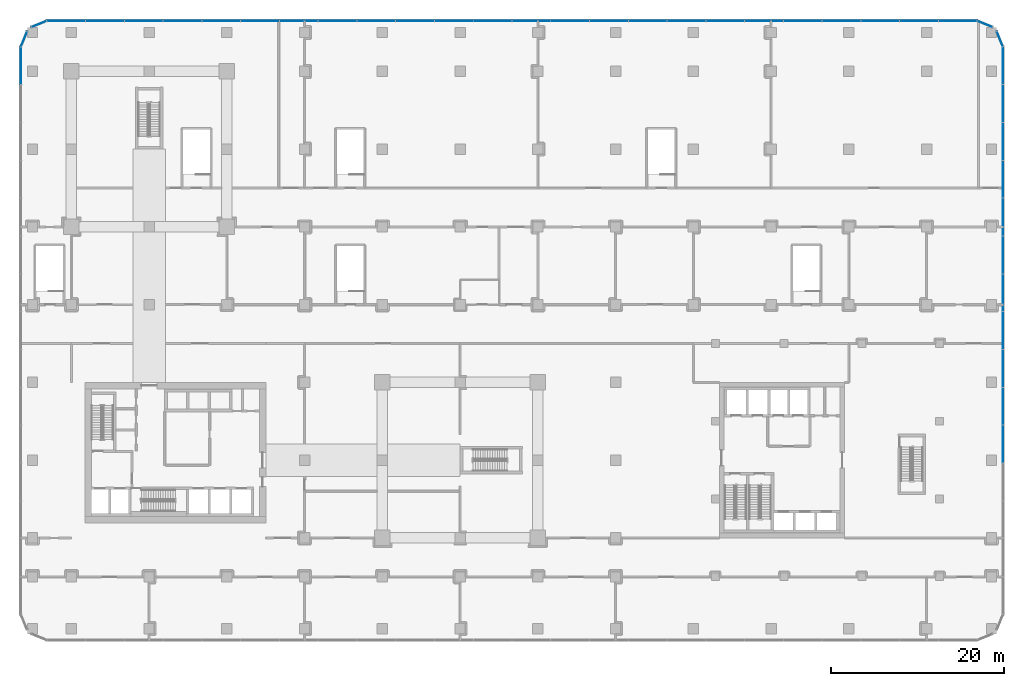
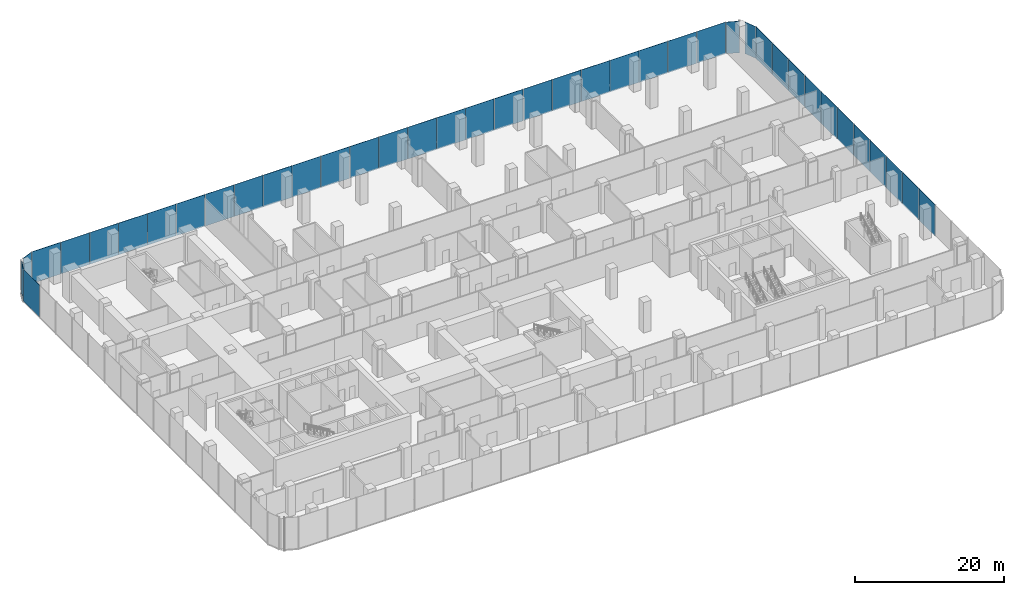
# One storey, part 22 of 36: 40 plates, 7 elements without a shape of their own.
"""IFC4 building model written with IfcOpenShell, lengths in metres."""

from ifc_helpers import new_model, si_unit, direction, frame, origin, origin_2d, place, context, subcontext, project, spatial, rectangle, extrude, material, layer, layer_set, type_object, element, aggregate, save


model = new_model("IFC4")

# Units and contexts
model_context = context("Model", 3, precision=1e-05, world=origin(), true_north=direction((0.0, 1.0)))
body_context = subcontext(model_context, "Body", "Model", "MODEL_VIEW")
ifc_project = project(units=[si_unit("LENGTHUNIT", "METRE"), si_unit("AREAUNIT", "SQUARE_METRE"), si_unit("VOLUMEUNIT", "CUBIC_METRE"), si_unit("PLANEANGLEUNIT", "RADIAN"), si_unit("MASSUNIT", "GRAM", prefix="KILO")], contexts=[model_context])

# Site, building, storey
site_placement = place(None, origin())
site = spatial("IfcSite", under=ifc_project, at=site_placement, CompositionType="ELEMENT")
building_placement = place(site_placement, origin())
building = spatial("IfcBuilding", under=site, at=building_placement, Name="Plateau Cross Towers", CompositionType="ELEMENT")
storey_placement = place(building_placement, frame((0.0, 0.0, 21.800048828125)))
storey = spatial("IfcBuildingStorey", under=building, at=storey_placement, Name="L04", CompositionType="ELEMENT", Elevation=21.800048828125)

# Curtain wall, plates
ifc_material = material(Name="Dark low-iron laminated glass", Category="glass")
ifc_layer_1 = layer(ifc_material, 0.300048828125)
ifc_layer_set_1 = layer_set([ifc_layer_1], Name="Dark low-iron laminated glass")
curtain_wall_type = type_object("IfcCurtainWallType", Name="Curtain wall structural silicone CW-C", PredefinedType="NOTDEFINED", material=ifc_layer_set_1)
curtain_wall_1_placement = place(storey_placement, origin())
curtain_wall_1 = element("IfcCurtainWall", 1, at=curtain_wall_1_placement, inside=storey, type_object=curtain_wall_type, Name="ENV/P/L04/P1078_-88", PredefinedType="NOTDEFINED")
ifc_layer_2 = layer(ifc_material, 0.0439453125)
ifc_layer_set_2 = layer_set([ifc_layer_2], Name="Dark low-iron laminated glass")
plate_type = type_object("IfcPlateType", Name="Glass panel 44 structural silicone", PredefinedType="CURTAIN_PANEL", material=ifc_layer_set_2)
plate_1_placement = place(storey_placement, frame((107.85009765625, 10.860107421875, -0.2001953125), z_axis=(0.0, 0.0, 1.0), x_axis=(0.0, 1.0, 0.0)))
plate_1 = element("IfcPlate", 2, at=plate_1_placement, type_object=plate_type, Name="CW-C panel 5", PredefinedType="CURTAIN_PANEL", context=body_context, shape_type="SweptSolid", body=[
    extrude(rectangle(XDim=4.330078125, YDim=0.0439453125, at=origin_2d()), origin(), (0.0, 0.0, 1.0), 5.199951171875),
])
plate_2_placement = place(storey_placement, frame((107.85009765625, 15.239990234375, -0.2001953125), z_axis=(0.0, 0.0, 1.0), x_axis=(0.0, 1.0, 0.0)))
plate_2 = element("IfcPlate", 3, at=plate_2_placement, type_object=plate_type, Name="CW-C panel 6", PredefinedType="CURTAIN_PANEL", context=body_context, shape_type="SweptSolid", body=[
    extrude(rectangle(XDim=4.330078125, YDim=0.0439453125, at=origin_2d()), origin(), (0.0, 0.0, 1.0), 5.199951171875),
])
plate_3_placement = place(storey_placement, frame((107.85009765625, 19.6201171875, -0.2001953125), z_axis=(0.0, 0.0, 1.0), x_axis=(0.0, 1.0, 0.0)))
plate_3 = element("IfcPlate", 4, at=plate_3_placement, type_object=plate_type, Name="CW-C panel 7", PredefinedType="CURTAIN_PANEL", context=body_context, shape_type="SweptSolid", body=[
    extrude(rectangle(XDim=4.330078125, YDim=0.0439453125, at=origin_2d()), origin(), (0.0, 0.0, 1.0), 5.199951171875),
])
plate_4_placement = place(storey_placement, frame((107.85009765625, 24.0, -0.2001953125), z_axis=(0.0, 0.0, 1.0), x_axis=(0.0, 1.0, 0.0)))
plate_4 = element("IfcPlate", 5, at=plate_4_placement, type_object=plate_type, Name="CW-C panel 8", PredefinedType="CURTAIN_PANEL", context=body_context, shape_type="SweptSolid", body=[
    extrude(rectangle(XDim=4.330078125, YDim=0.0439453125, at=origin_2d()), origin(), (0.0, 0.0, 1.0), 5.199951171875),
])
plate_5_placement = place(storey_placement, frame((107.85009765625, 28.3798828125, -0.2001953125), z_axis=(0.0, 0.0, 1.0), x_axis=(0.0, 1.0, 0.0)))
plate_5 = element("IfcPlate", 6, at=plate_5_placement, type_object=plate_type, Name="CW-C panel 9", PredefinedType="CURTAIN_PANEL", context=body_context, shape_type="SweptSolid", body=[
    extrude(rectangle(XDim=4.330078125, YDim=0.0439453125, at=origin_2d()), origin(), (0.0, 0.0, 1.0), 5.199951171875),
])
plate_6_placement = place(storey_placement, frame((107.85009765625, 32.760009765625, -0.2001953125), z_axis=(0.0, 0.0, 1.0), x_axis=(0.0, 1.0, 0.0)))
plate_6 = element("IfcPlate", 7, at=plate_6_placement, type_object=plate_type, Name="CW-C panel 10", PredefinedType="CURTAIN_PANEL", context=body_context, shape_type="SweptSolid", body=[
    extrude(rectangle(XDim=4.330078125, YDim=0.0439453125, at=origin_2d()), origin(), (0.0, 0.0, 1.0), 5.199951171875),
])
plate_7_placement = place(storey_placement, frame((107.85009765625, 37.139892578125, -0.2001953125), z_axis=(0.0, 0.0, 1.0), x_axis=(0.0, 1.0, 0.0)))
plate_7 = element("IfcPlate", 8, at=plate_7_placement, type_object=plate_type, Name="CW-C panel 11", PredefinedType="CURTAIN_PANEL", context=body_context, shape_type="SweptSolid", body=[
    extrude(rectangle(XDim=4.330078125, YDim=0.0439453125, at=origin_2d()), origin(), (0.0, 0.0, 1.0), 5.199951171875),
])
plate_8_placement = place(storey_placement, frame((107.85009765625, 41.52001953125, -0.2001953125), z_axis=(0.0, 0.0, 1.0), x_axis=(0.0, 1.0, 0.0)))
plate_8 = element("IfcPlate", 9, at=plate_8_placement, type_object=plate_type, Name="CW-C panel 12", PredefinedType="CURTAIN_PANEL", context=body_context, shape_type="SweptSolid", body=[
    extrude(rectangle(XDim=4.330078125, YDim=0.0439453125, at=origin_2d()), origin(), (0.0, 0.0, 1.0), 5.199951171875),
])
plate_9_placement = place(storey_placement, frame((107.85009765625, 45.89990234375, -0.2001953125), z_axis=(0.0, 0.0, 1.0), x_axis=(0.0, 1.0, 0.0)))
plate_9 = element("IfcPlate", 10, at=plate_9_placement, type_object=plate_type, Name="CW-C panel 13", PredefinedType="CURTAIN_PANEL", context=body_context, shape_type="SweptSolid", body=[
    extrude(rectangle(XDim=4.330078125, YDim=0.0439453125, at=origin_2d()), origin(), (0.0, 0.0, 1.0), 5.199951171875),
])
plate_10_placement = place(storey_placement, frame((107.85009765625, 50.280029296875, -0.2001953125), z_axis=(0.0, 0.0, 1.0), x_axis=(0.0, 1.0, 0.0)))
plate_10 = element("IfcPlate", 11, at=plate_10_placement, type_object=plate_type, Name="CW-C panel 14", PredefinedType="CURTAIN_PANEL", context=body_context, shape_type="SweptSolid", body=[
    extrude(rectangle(XDim=4.330078125, YDim=0.0439453125, at=origin_2d()), origin(), (0.0, 0.0, 1.0), 5.199951171875),
])
plate_11_placement = place(storey_placement, frame((107.85009765625, 54.659912109375, -0.2001953125), z_axis=(0.0, 0.0, 1.0), x_axis=(0.0, 1.0, 0.0)))
plate_11 = element("IfcPlate", 12, at=plate_11_placement, type_object=plate_type, Name="CW-C panel 15", PredefinedType="CURTAIN_PANEL", context=body_context, shape_type="SweptSolid", body=[
    extrude(rectangle(XDim=4.330078125, YDim=0.0439453125, at=origin_2d()), origin(), (0.0, 0.0, 1.0), 5.199951171875),
])
aggregate(curtain_wall_1, [plate_1, plate_2, plate_3, plate_4, plate_5, plate_6, plate_7, plate_8, plate_9, plate_10, plate_11])

# Curtain wall, plate
curtain_wall_2_placement = place(storey_placement, origin())
curtain_wall_2 = element("IfcCurtainWall", 13, at=curtain_wall_2_placement, inside=storey, type_object=curtain_wall_type, Name="ENV/P/L04/P1078_568", PredefinedType="NOTDEFINED")
plate_12_placement = place(storey_placement, frame((107.485107421875, 57.731201171875, -0.2001953125), z_axis=(0.0, 0.0, 1.0), x_axis=(-0.382683612978, 0.923879457699, 0.0)))
plate_12 = element("IfcPlate", 14, at=plate_12_placement, type_object=plate_type, Name="CW-C panel 1", PredefinedType="CURTAIN_PANEL", context=body_context, shape_type="SweptSolid", body=[
    extrude(rectangle(XDim=1.857666015625, YDim=0.0439453125, at=origin_2d()), origin(), (0.0, 0.0, 1.0), 5.199951171875),
])
aggregate(curtain_wall_2, [plate_12])

curtain_wall_3_placement = place(storey_placement, origin())
curtain_wall_3 = element("IfcCurtainWall", 15, at=curtain_wall_3_placement, inside=storey, type_object=curtain_wall_type, Name="ENV/P/L04/P1066_591", PredefinedType="NOTDEFINED")
plate_13_placement = place(storey_placement, frame((105.731201171875, 59.485107421875, -0.2001953125), z_axis=(0.0, 0.0, 1.0), x_axis=(-0.923879457699, 0.382683612978, 0.0)))
plate_13 = element("IfcPlate", 16, at=plate_13_placement, type_object=plate_type, Name="CW-C panel 1", PredefinedType="CURTAIN_PANEL", context=body_context, shape_type="SweptSolid", body=[
    extrude(rectangle(XDim=1.857666015625, YDim=0.0439453125, at=origin_2d()), origin(), (0.0, 0.0, 1.0), 5.199951171875),
])
aggregate(curtain_wall_3, [plate_13])

# Curtain wall, plates
curtain_wall_4_placement = place(storey_placement, origin())
curtain_wall_4 = element("IfcCurtainWall", 17, at=curtain_wall_4_placement, inside=storey, type_object=curtain_wall_type, Name="ENV/P/L04/P1048_598", PredefinedType="NOTDEFINED")
plate_14_placement = place(storey_placement, frame((102.606201171875, 59.85009765625, -0.2001953125), z_axis=(0.0, 0.0, 1.0), x_axis=(-1.0, 0.0, 0.0)))
plate_14 = element("IfcPlate", 18, at=plate_14_placement, type_object=plate_type, Name="CW-C panel 1", PredefinedType="CURTAIN_PANEL", context=body_context, shape_type="SweptSolid", body=[
    extrude(rectangle(XDim=4.4375, YDim=0.0439453125, at=origin_2d()), origin(), (0.0, 0.0, 1.0), 5.199951171875),
])
plate_15_placement = place(storey_placement, frame((98.11865234375, 59.85009765625, -0.2001953125), z_axis=(0.0, 0.0, 1.0), x_axis=(-1.0, 0.0, 0.0)))
plate_15 = element("IfcPlate", 19, at=plate_15_placement, type_object=plate_type, Name="CW-C panel 2", PredefinedType="CURTAIN_PANEL", context=body_context, shape_type="SweptSolid", body=[
    extrude(rectangle(XDim=4.4375, YDim=0.0439453125, at=origin_2d()), origin(), (0.0, 0.0, 1.0), 5.199951171875),
])
plate_16_placement = place(storey_placement, frame((93.63134765625, 59.85009765625, -0.2001953125), z_axis=(0.0, 0.0, 1.0), x_axis=(-1.0, 0.0, 0.0)))
plate_16 = element("IfcPlate", 20, at=plate_16_placement, type_object=plate_type, Name="CW-C panel 3", PredefinedType="CURTAIN_PANEL", context=body_context, shape_type="SweptSolid", body=[
    extrude(rectangle(XDim=4.4375, YDim=0.0439453125, at=origin_2d()), origin(), (0.0, 0.0, 1.0), 5.199951171875),
])
plate_17_placement = place(storey_placement, frame((89.143798828125, 59.85009765625, -0.2001953125), z_axis=(0.0, 0.0, 1.0), x_axis=(-1.0, 0.0, 0.0)))
plate_17 = element("IfcPlate", 21, at=plate_17_placement, type_object=plate_type, Name="CW-C panel 4", PredefinedType="CURTAIN_PANEL", context=body_context, shape_type="SweptSolid", body=[
    extrude(rectangle(XDim=4.4375, YDim=0.0439453125, at=origin_2d()), origin(), (0.0, 0.0, 1.0), 5.199951171875),
])
plate_18_placement = place(storey_placement, frame((84.65625, 59.85009765625, -0.2001953125), z_axis=(0.0, 0.0, 1.0), x_axis=(-1.0, 0.0, 0.0)))
plate_18 = element("IfcPlate", 22, at=plate_18_placement, type_object=plate_type, Name="CW-C panel 5", PredefinedType="CURTAIN_PANEL", context=body_context, shape_type="SweptSolid", body=[
    extrude(rectangle(XDim=4.4375, YDim=0.0439453125, at=origin_2d()), origin(), (0.0, 0.0, 1.0), 5.199951171875),
])
plate_19_placement = place(storey_placement, frame((80.168701171875, 59.85009765625, -0.2001953125), z_axis=(0.0, 0.0, 1.0), x_axis=(-1.0, 0.0, 0.0)))
plate_19 = element("IfcPlate", 23, at=plate_19_placement, type_object=plate_type, Name="CW-C panel 6", PredefinedType="CURTAIN_PANEL", context=body_context, shape_type="SweptSolid", body=[
    extrude(rectangle(XDim=4.4375, YDim=0.0439453125, at=origin_2d()), origin(), (0.0, 0.0, 1.0), 5.199951171875),
])
plate_20_placement = place(storey_placement, frame((75.68115234375, 59.85009765625, -0.2001953125), z_axis=(0.0, 0.0, 1.0), x_axis=(-1.0, 0.0, 0.0)))
plate_20 = element("IfcPlate", 24, at=plate_20_placement, type_object=plate_type, Name="CW-C panel 7", PredefinedType="CURTAIN_PANEL", context=body_context, shape_type="SweptSolid", body=[
    extrude(rectangle(XDim=4.4375, YDim=0.0439453125, at=origin_2d()), origin(), (0.0, 0.0, 1.0), 5.199951171875),
])
plate_21_placement = place(storey_placement, frame((71.19384765625, 59.85009765625, -0.2001953125), z_axis=(0.0, 0.0, 1.0), x_axis=(-1.0, 0.0, 0.0)))
plate_21 = element("IfcPlate", 25, at=plate_21_placement, type_object=plate_type, Name="CW-C panel 8", PredefinedType="CURTAIN_PANEL", context=body_context, shape_type="SweptSolid", body=[
    extrude(rectangle(XDim=4.4375, YDim=0.0439453125, at=origin_2d()), origin(), (0.0, 0.0, 1.0), 5.199951171875),
])
plate_22_placement = place(storey_placement, frame((66.706298828125, 59.85009765625, -0.2001953125), z_axis=(0.0, 0.0, 1.0), x_axis=(-1.0, 0.0, 0.0)))
plate_22 = element("IfcPlate", 26, at=plate_22_placement, type_object=plate_type, Name="CW-C panel 9", PredefinedType="CURTAIN_PANEL", context=body_context, shape_type="SweptSolid", body=[
    extrude(rectangle(XDim=4.4375, YDim=0.0439453125, at=origin_2d()), origin(), (0.0, 0.0, 1.0), 5.199951171875),
])
plate_23_placement = place(storey_placement, frame((62.21875, 59.85009765625, -0.2001953125), z_axis=(0.0, 0.0, 1.0), x_axis=(-1.0, 0.0, 0.0)))
plate_23 = element("IfcPlate", 27, at=plate_23_placement, type_object=plate_type, Name="CW-C panel 10", PredefinedType="CURTAIN_PANEL", context=body_context, shape_type="SweptSolid", body=[
    extrude(rectangle(XDim=4.4375, YDim=0.0439453125, at=origin_2d()), origin(), (0.0, 0.0, 1.0), 5.199951171875),
])
plate_24_placement = place(storey_placement, frame((57.731201171875, 59.85009765625, -0.2001953125), z_axis=(0.0, 0.0, 1.0), x_axis=(-1.0, 0.0, 0.0)))
plate_24 = element("IfcPlate", 28, at=plate_24_placement, type_object=plate_type, Name="CW-C panel 11", PredefinedType="CURTAIN_PANEL", context=body_context, shape_type="SweptSolid", body=[
    extrude(rectangle(XDim=4.4375, YDim=0.0439453125, at=origin_2d()), origin(), (0.0, 0.0, 1.0), 5.199951171875),
])
plate_25_placement = place(storey_placement, frame((53.24365234375, 59.85009765625, -0.2001953125), z_axis=(0.0, 0.0, 1.0), x_axis=(-1.0, 0.0, 0.0)))
plate_25 = element("IfcPlate", 29, at=plate_25_placement, type_object=plate_type, Name="CW-C panel 12", PredefinedType="CURTAIN_PANEL", context=body_context, shape_type="SweptSolid", body=[
    extrude(rectangle(XDim=4.4375, YDim=0.0439453125, at=origin_2d()), origin(), (0.0, 0.0, 1.0), 5.199951171875),
])
plate_26_placement = place(storey_placement, frame((48.75634765625, 59.85009765625, -0.2001953125), z_axis=(0.0, 0.0, 1.0), x_axis=(-1.0, 0.0, 0.0)))
plate_26 = element("IfcPlate", 30, at=plate_26_placement, type_object=plate_type, Name="CW-C panel 13", PredefinedType="CURTAIN_PANEL", context=body_context, shape_type="SweptSolid", body=[
    extrude(rectangle(XDim=4.4375, YDim=0.0439453125, at=origin_2d()), origin(), (0.0, 0.0, 1.0), 5.199951171875),
])
plate_27_placement = place(storey_placement, frame((44.268798828125, 59.85009765625, -0.2001953125), z_axis=(0.0, 0.0, 1.0), x_axis=(-1.0, 0.0, 0.0)))
plate_27 = element("IfcPlate", 31, at=plate_27_placement, type_object=plate_type, Name="CW-C panel 14", PredefinedType="CURTAIN_PANEL", context=body_context, shape_type="SweptSolid", body=[
    extrude(rectangle(XDim=4.4375, YDim=0.0439453125, at=origin_2d()), origin(), (0.0, 0.0, 1.0), 5.199951171875),
])
plate_28_placement = place(storey_placement, frame((39.78125, 59.85009765625, -0.2001953125), z_axis=(0.0, 0.0, 1.0), x_axis=(-1.0, 0.0, 0.0)))
plate_28 = element("IfcPlate", 32, at=plate_28_placement, type_object=plate_type, Name="CW-C panel 15", PredefinedType="CURTAIN_PANEL", context=body_context, shape_type="SweptSolid", body=[
    extrude(rectangle(XDim=4.4375, YDim=0.0439453125, at=origin_2d()), origin(), (0.0, 0.0, 1.0), 5.199951171875),
])
plate_29_placement = place(storey_placement, frame((35.293701171875, 59.85009765625, -0.2001953125), z_axis=(0.0, 0.0, 1.0), x_axis=(-1.0, 0.0, 0.0)))
plate_29 = element("IfcPlate", 33, at=plate_29_placement, type_object=plate_type, Name="CW-C panel 16", PredefinedType="CURTAIN_PANEL", context=body_context, shape_type="SweptSolid", body=[
    extrude(rectangle(XDim=4.4375, YDim=0.0439453125, at=origin_2d()), origin(), (0.0, 0.0, 1.0), 5.199951171875),
])
plate_30_placement = place(storey_placement, frame((30.80615234375, 59.85009765625, -0.2001953125), z_axis=(0.0, 0.0, 1.0), x_axis=(-1.0, 0.0, 0.0)))
plate_30 = element("IfcPlate", 34, at=plate_30_placement, type_object=plate_type, Name="CW-C panel 17", PredefinedType="CURTAIN_PANEL", context=body_context, shape_type="SweptSolid", body=[
    extrude(rectangle(XDim=4.4375, YDim=0.0439453125, at=origin_2d()), origin(), (0.0, 0.0, 1.0), 5.199951171875),
])
plate_31_placement = place(storey_placement, frame((26.31884765625, 59.85009765625, -0.2001953125), z_axis=(0.0, 0.0, 1.0), x_axis=(-1.0, 0.0, 0.0)))
plate_31 = element("IfcPlate", 35, at=plate_31_placement, type_object=plate_type, Name="CW-C panel 18", PredefinedType="CURTAIN_PANEL", context=body_context, shape_type="SweptSolid", body=[
    extrude(rectangle(XDim=4.4375, YDim=0.0439453125, at=origin_2d()), origin(), (0.0, 0.0, 1.0), 5.199951171875),
])
plate_32_placement = place(storey_placement, frame((21.831298828125, 59.85009765625, -0.2001953125), z_axis=(0.0, 0.0, 1.0), x_axis=(-1.0, 0.0, 0.0)))
plate_32 = element("IfcPlate", 36, at=plate_32_placement, type_object=plate_type, Name="CW-C panel 19", PredefinedType="CURTAIN_PANEL", context=body_context, shape_type="SweptSolid", body=[
    extrude(rectangle(XDim=4.4375, YDim=0.0439453125, at=origin_2d()), origin(), (0.0, 0.0, 1.0), 5.199951171875),
])
plate_33_placement = place(storey_placement, frame((17.34375, 59.85009765625, -0.2001953125), z_axis=(0.0, 0.0, 1.0), x_axis=(-1.0, 0.0, 0.0)))
plate_33 = element("IfcPlate", 37, at=plate_33_placement, type_object=plate_type, Name="CW-C panel 20", PredefinedType="CURTAIN_PANEL", context=body_context, shape_type="SweptSolid", body=[
    extrude(rectangle(XDim=4.4375, YDim=0.0439453125, at=origin_2d()), origin(), (0.0, 0.0, 1.0), 5.199951171875),
])
plate_34_placement = place(storey_placement, frame((12.856201171875, 59.85009765625, -0.2001953125), z_axis=(0.0, 0.0, 1.0), x_axis=(-1.0, 0.0, 0.0)))
plate_34 = element("IfcPlate", 38, at=plate_34_placement, type_object=plate_type, Name="CW-C panel 21", PredefinedType="CURTAIN_PANEL", context=body_context, shape_type="SweptSolid", body=[
    extrude(rectangle(XDim=4.4375, YDim=0.0439453125, at=origin_2d()), origin(), (0.0, 0.0, 1.0), 5.199951171875),
])
plate_35_placement = place(storey_placement, frame((8.36865234375, 59.85009765625, -0.2001953125), z_axis=(0.0, 0.0, 1.0), x_axis=(-1.0, 0.0, 0.0)))
plate_35 = element("IfcPlate", 39, at=plate_35_placement, type_object=plate_type, Name="CW-C panel 22", PredefinedType="CURTAIN_PANEL", context=body_context, shape_type="SweptSolid", body=[
    extrude(rectangle(XDim=4.4375, YDim=0.0439453125, at=origin_2d()), origin(), (0.0, 0.0, 1.0), 5.199951171875),
])
plate_36_placement = place(storey_placement, frame((3.88134765625, 59.85009765625, -0.2001953125), z_axis=(0.0, 0.0, 1.0), x_axis=(-1.0, 0.0, 0.0)))
plate_36 = element("IfcPlate", 40, at=plate_36_placement, type_object=plate_type, Name="CW-C panel 23", PredefinedType="CURTAIN_PANEL", context=body_context, shape_type="SweptSolid", body=[
    extrude(rectangle(XDim=4.4375, YDim=0.0439453125, at=origin_2d()), origin(), (0.0, 0.0, 1.0), 5.199951171875),
])
plate_37_placement = place(storey_placement, frame((-0.606201171875, 59.85009765625, -0.2001953125), z_axis=(0.0, 0.0, 1.0), x_axis=(-1.0, 0.0, 0.0)))
plate_37 = element("IfcPlate", 41, at=plate_37_placement, type_object=plate_type, Name="CW-C panel 24", PredefinedType="CURTAIN_PANEL", context=body_context, shape_type="SweptSolid", body=[
    extrude(rectangle(XDim=4.4375, YDim=0.0439453125, at=origin_2d()), origin(), (0.0, 0.0, 1.0), 5.199951171875),
])
aggregate(curtain_wall_4, [plate_14, plate_15, plate_16, plate_17, plate_18, plate_19, plate_20, plate_21, plate_22, plate_23, plate_24, plate_25, plate_26, plate_27, plate_28, plate_29, plate_30, plate_31, plate_32, plate_33, plate_34, plate_35, plate_36, plate_37])

# Curtain wall, plate
curtain_wall_5_placement = place(storey_placement, origin())
curtain_wall_5 = element("IfcCurtainWall", 42, at=curtain_wall_5_placement, inside=storey, type_object=curtain_wall_type, Name="ENV/P/L04/P-28_598", PredefinedType="NOTDEFINED")
plate_38_placement = place(storey_placement, frame((-3.731201171875, 59.485107421875, -0.2001953125), z_axis=(0.0, 0.0, 1.0), x_axis=(-0.923879457699, -0.382683612978, 0.0)))
plate_38 = element("IfcPlate", 43, at=plate_38_placement, type_object=plate_type, Name="CW-C panel 1", PredefinedType="CURTAIN_PANEL", context=body_context, shape_type="SweptSolid", body=[
    extrude(rectangle(XDim=1.857666015625, YDim=0.0439453125, at=origin_2d()), origin(), (0.0, 0.0, 1.0), 5.199951171875),
])
aggregate(curtain_wall_5, [plate_38])

curtain_wall_6_placement = place(storey_placement, origin())
curtain_wall_6 = element("IfcCurtainWall", 44, at=curtain_wall_6_placement, inside=storey, type_object=curtain_wall_type, Name="ENV/P/L04/P-51_586", PredefinedType="NOTDEFINED")
plate_39_placement = place(storey_placement, frame((-5.485107421875, 57.731201171875, -0.2001953125), z_axis=(0.0, 0.0, 1.0), x_axis=(-0.382683612978, -0.923879457699, 0.0)))
plate_39 = element("IfcPlate", 45, at=plate_39_placement, type_object=plate_type, Name="CW-C panel 1", PredefinedType="CURTAIN_PANEL", context=body_context, shape_type="SweptSolid", body=[
    extrude(rectangle(XDim=1.857666015625, YDim=0.0439453125, at=origin_2d()), origin(), (0.0, 0.0, 1.0), 5.199951171875),
])
aggregate(curtain_wall_6, [plate_39])

curtain_wall_7_placement = place(storey_placement, origin())
curtain_wall_7 = element("IfcCurtainWall", 46, at=curtain_wall_7_placement, inside=storey, type_object=curtain_wall_type, Name="ENV/P/L04/P-58_568", PredefinedType="NOTDEFINED")
plate_40_placement = place(storey_placement, frame((-5.85009765625, 54.659912109375, -0.2001953125), z_axis=(0.0, 0.0, 1.0), x_axis=(0.0, -1.0, 0.0)))
plate_40 = element("IfcPlate", 47, at=plate_40_placement, type_object=plate_type, Name="CW-C panel 1", PredefinedType="CURTAIN_PANEL", context=body_context, shape_type="SweptSolid", body=[
    extrude(rectangle(XDim=4.330078125, YDim=0.0439453125, at=origin_2d()), origin(), (0.0, 0.0, 1.0), 5.199951171875),
])
aggregate(curtain_wall_7, [plate_40])

save(model, "model.ifc")
